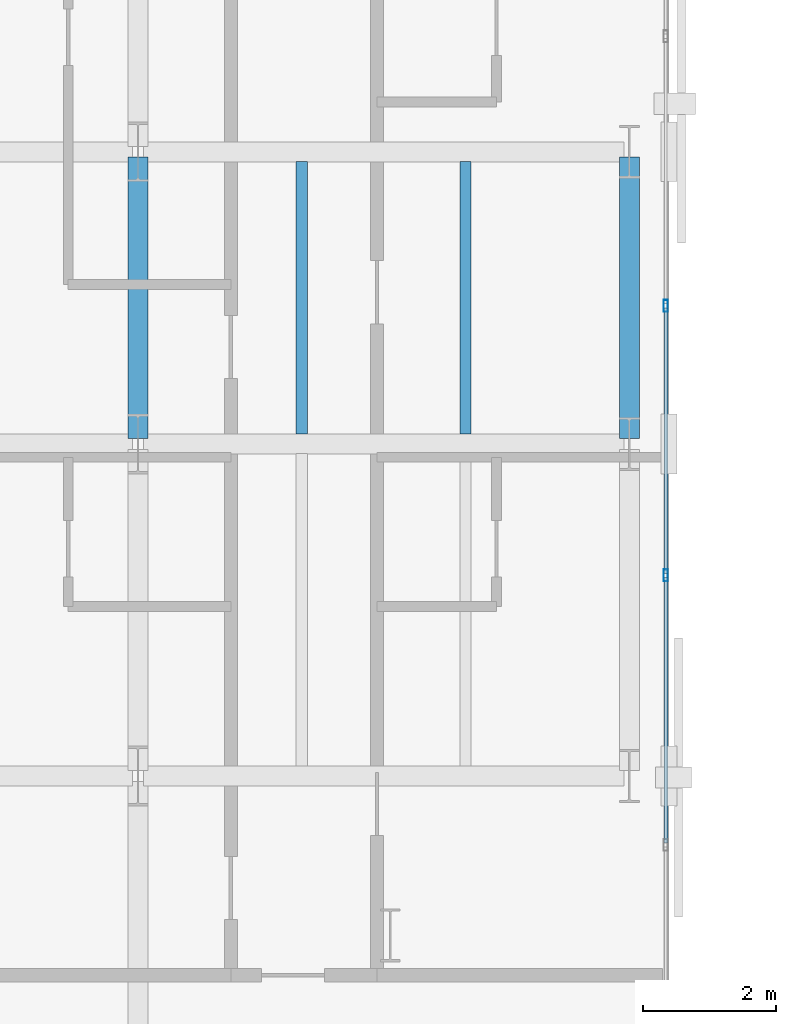
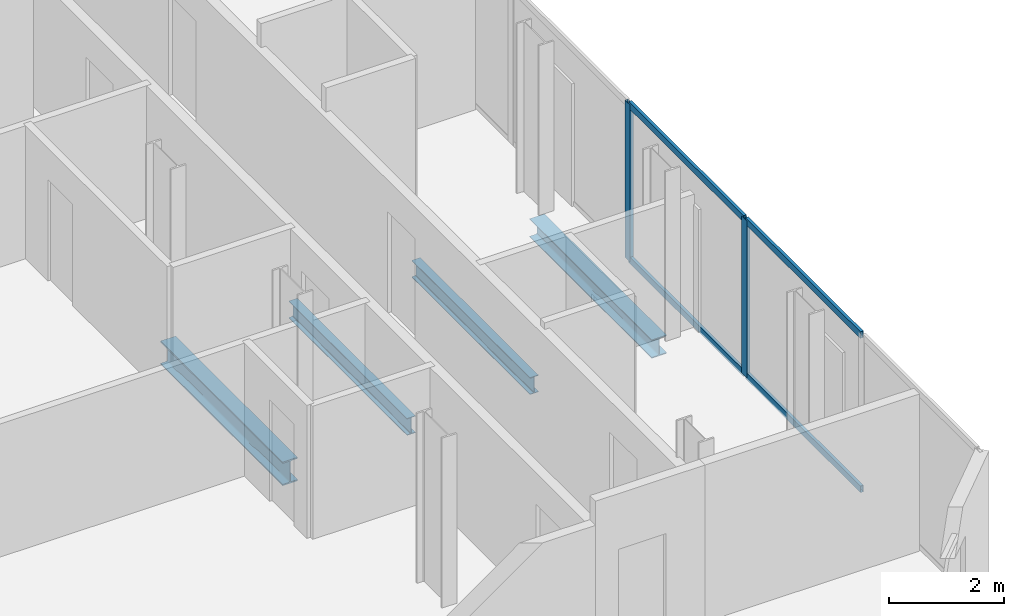
# One storey, part 8 of 33: 6 members, 4 beams, 1 element without a shape of its own.
"""IFC4 building model written with IfcOpenShell, lengths in metres."""

from ifc_helpers import new_model, si_unit, direction, frame, origin, origin_2d, place, context, subcontext, project, spatial, hollow_rectangle, i_section, extrude, material, layer, layer_set, material_profile, profile_set, type_object, element, aggregate, save


model = new_model("IFC4")

# Units and contexts
model_context = context("Model", 3, precision=1e-05, world=origin(), true_north=direction((0.0, 1.0)))
body_context = subcontext(model_context, "Body", "Model", "MODEL_VIEW")
ifc_project = project(units=[si_unit("LENGTHUNIT", "METRE"), si_unit("AREAUNIT", "SQUARE_METRE"), si_unit("VOLUMEUNIT", "CUBIC_METRE"), si_unit("PLANEANGLEUNIT", "RADIAN"), si_unit("MASSUNIT", "GRAM", prefix="KILO")], contexts=[model_context])

# Site, building, storey
site_placement = place(None, origin())
site = spatial("IfcSite", under=ifc_project, at=site_placement, CompositionType="ELEMENT")
building_placement = place(site_placement, origin())
building = spatial("IfcBuilding", under=site, at=building_placement, Name="Catumbela Crestline Tower", CompositionType="ELEMENT")
storey_placement = place(building_placement, frame((0.0, 0.0, 43.8)))
storey = spatial("IfcBuildingStorey", under=building, at=storey_placement, Name="L10", CompositionType="ELEMENT", Elevation=43.8)

# Beams
ifc_material_1 = material(Name="Structural steel S355J2", Category="steel")
ifc_material_profile_1 = material_profile(ifc_material_1, i_section(OverallWidth=0.3, OverallDepth=0.5, WebThickness=0.0145, FlangeThickness=0.028, FilletRadius=0.027, at=origin_2d()), Name="HEB 500")
ifc_profile_set_1 = profile_set([ifc_material_profile_1], Name="Structural steel S355J2")
beam_type_1 = type_object("IfcBeamType", Name="BG-HEB500", PredefinedType="BEAM", material=ifc_profile_set_1)
beam_1_placement = place(storey_placement, frame((16.0, 13.68, -0.51), z_axis=(0.0, 1.0, 0.0), x_axis=(-1.0, 0.0, 0.0)))
element("IfcBeam", 1, at=beam_1_placement, inside=storey, type_object=beam_type_1, Name="L10 Beam BM-L10-WNS66", PredefinedType="BEAM", context=body_context, shape_type="SweptSolid", body=[
    extrude(i_section(OverallWidth=0.3, OverallDepth=0.5, WebThickness=0.0145, FlangeThickness=0.028, FilletRadius=0.027, at=origin_2d()), origin(), (0.0, 0.0, 1.0), 4.24),
])
ifc_material_profile_2 = material_profile(ifc_material_1, i_section(OverallWidth=0.17, OverallDepth=0.36, WebThickness=0.008, FlangeThickness=0.0127, FilletRadius=0.018, at=origin_2d()), Name="IPE 360")
ifc_profile_set_2 = profile_set([ifc_material_profile_2], Name="Structural steel S355J2")
beam_type_2 = type_object("IfcBeamType", Name="BJ-IPE360", PredefinedType="JOIST", material=ifc_profile_set_2)
for number, where, z_axis, x_axis, name in (
    (2, (18.467, 13.747, -0.44), (0.0, 1.0, 0.0), (-1.0, 0.0, 0.0), "L10 Joist JS-L10-WG80"),
    (3, (20.933, 13.747, -0.44), (0.0, 1.0, 0.0), (-1.0, 0.0, 0.0), "L10 Joist JS-L10-WG81"),
):
    element("IfcBeam", number, at=place(storey_placement, frame(where, z_axis=z_axis, x_axis=x_axis)), inside=storey, type_object=beam_type_2, Name=name, PredefinedType="JOIST", context=body_context, shape_type="SweptSolid", body=[
        extrude(i_section(OverallWidth=0.17, OverallDepth=0.36, WebThickness=0.008, FlangeThickness=0.0127, FilletRadius=0.018, at=origin_2d()), origin(), (0.0, 0.0, 1.0), 4.106),
    ])

# Curtain wall, members
ifc_material_2 = material(Name="Aluminium alloy AW-6060-T66", Category="aluminium")
ifc_layer = layer(ifc_material_2, 0.18, Name="Aluminium alloy AW-6060-T66")
ifc_layer_set = layer_set([ifc_layer], Name="Aluminium alloy AW-6060-T66")
curtain_wall_type = type_object("IfcCurtainWallType", Name="CWU-Z1", PredefinedType="USERDEFINED", material=ifc_layer_set)
curtain_wall_placement = place(storey_placement, origin())
curtain_wall = element("IfcCurtainWall", 4, at=curtain_wall_placement, inside=storey, type_object=curtain_wall_type, Name="L10 Unitised Curtain Wall CW-L10-E2S1", ObjectType="UNITISED", PredefinedType="USERDEFINED")
ifc_material_profile_3 = material_profile(ifc_material_2, hollow_rectangle(XDim=0.065, YDim=0.18, WallThickness=0.004, at=origin_2d()), Name="ALU 180x65x4")
ifc_profile_set_3 = profile_set([ifc_material_profile_3], Name="Aluminium alloy AW-6060-T66")
member_type_1 = type_object("IfcMemberType", Name="MUL-180X65", PredefinedType="MULLION", material=ifc_profile_set_3)
member_1_placement = place(storey_placement, frame((23.95, 11.62, 0.0), z_axis=(0.0, 0.0, 1.0), x_axis=(-1.0, 0.0, 0.0)))
member_1 = element("IfcMember", 5, at=member_1_placement, type_object=member_type_1, Name="CWU-Z1 mullion 3", PredefinedType="MULLION", context=body_context, shape_type="SweptSolid", body=[
    extrude(hollow_rectangle(XDim=0.065, YDim=0.18, WallThickness=0.004, at=origin_2d()), origin(), (0.0, 0.0, 1.0), 3.33),
])
member_2_placement = place(storey_placement, frame((23.95, 15.68, 0.0), z_axis=(0.0, 0.0, 1.0), x_axis=(-1.0, 0.0, 0.0)))
member_2 = element("IfcMember", 6, at=member_2_placement, type_object=member_type_1, Name="CWU-Z1 mullion 4", PredefinedType="MULLION", context=body_context, shape_type="SweptSolid", body=[
    extrude(hollow_rectangle(XDim=0.065, YDim=0.18, WallThickness=0.004, at=origin_2d()), origin(), (0.0, 0.0, 1.0), 3.33),
])

# Beam
ifc_material_profile_4 = material_profile(ifc_material_1, i_section(OverallWidth=0.3, OverallDepth=0.39, WebThickness=0.011, FlangeThickness=0.019, FilletRadius=0.027, at=origin_2d()), Name="HEA 400")
ifc_profile_set_4 = profile_set([ifc_material_profile_4], Name="Structural steel S355J2")
beam_type_3 = type_object("IfcBeamType", Name="BS-HEA400", PredefinedType="SPANDREL", material=ifc_profile_set_4)
beam_2_placement = place(storey_placement, frame((23.4, 13.68, -0.455), z_axis=(0.0, 1.0, 0.0), x_axis=(-1.0, 0.0, 0.0)))
element("IfcBeam", 7, at=beam_2_placement, inside=storey, type_object=beam_type_3, Name="L10 Spandrel SP-L10-WNS69", PredefinedType="SPANDREL", context=body_context, shape_type="SweptSolid", body=[
    extrude(i_section(OverallWidth=0.3, OverallDepth=0.39, WebThickness=0.011, FlangeThickness=0.019, FilletRadius=0.027, at=origin_2d()), origin(), (0.0, 0.0, 1.0), 4.24),
])

# Member
ifc_material_profile_5 = material_profile(ifc_material_2, hollow_rectangle(XDim=0.06, YDim=0.14, WallThickness=0.004, at=origin_2d()), Name="ALU 140x60x4")
ifc_profile_set_5 = profile_set([ifc_material_profile_5], Name="Aluminium alloy AW-6060-T66")
member_type_2 = type_object("IfcMemberType", Name="TRN-140X60", PredefinedType="USERDEFINED", material=ifc_profile_set_5)
member_3_placement = place(storey_placement, frame((23.95, 7.5925, 0.03), z_axis=(0.0, 1.0, 0.0), x_axis=(-1.0, 0.0, 0.0)))
member_3 = element("IfcMember", 8, at=member_3_placement, type_object=member_type_2, Name="CWU-Z1 transom 2.1", ObjectType="TRANSOM", PredefinedType="USERDEFINED", context=body_context, shape_type="SweptSolid", body=[
    extrude(hollow_rectangle(XDim=0.06, YDim=0.14, WallThickness=0.004, at=origin_2d()), origin(), (0.0, 0.0, 1.0), 3.995),
])

member_4_placement = place(storey_placement, frame((23.95, 7.5925, 3.3), z_axis=(0.0, 1.0, 0.0), x_axis=(-1.0, 0.0, 0.0)))
member_4 = element("IfcMember", 9, at=member_4_placement, type_object=member_type_2, Name="CWU-Z1 transom 2.2", ObjectType="TRANSOM", PredefinedType="USERDEFINED", context=body_context, shape_type="SweptSolid", body=[
    extrude(hollow_rectangle(XDim=0.06, YDim=0.14, WallThickness=0.004, at=origin_2d()), origin(), (0.0, 0.0, 1.0), 3.995),
])

member_5_placement = place(storey_placement, frame((23.95, 11.6525, 0.03), z_axis=(0.0, 1.0, 0.0), x_axis=(-1.0, 0.0, 0.0)))
member_5 = element("IfcMember", 10, at=member_5_placement, type_object=member_type_2, Name="CWU-Z1 transom 3.1", ObjectType="TRANSOM", PredefinedType="USERDEFINED", context=body_context, shape_type="SweptSolid", body=[
    extrude(hollow_rectangle(XDim=0.06, YDim=0.14, WallThickness=0.004, at=origin_2d()), origin(), (0.0, 0.0, 1.0), 3.995),
])

member_6_placement = place(storey_placement, frame((23.95, 11.6525, 3.3), z_axis=(0.0, 1.0, 0.0), x_axis=(-1.0, 0.0, 0.0)))
member_6 = element("IfcMember", 11, at=member_6_placement, type_object=member_type_2, Name="CWU-Z1 transom 3.2", ObjectType="TRANSOM", PredefinedType="USERDEFINED", context=body_context, shape_type="SweptSolid", body=[
    extrude(hollow_rectangle(XDim=0.06, YDim=0.14, WallThickness=0.004, at=origin_2d()), origin(), (0.0, 0.0, 1.0), 3.995),
])

aggregate(curtain_wall, [member_1, member_2, member_3, member_4, member_5, member_6])

save(model, "model.ifc")
